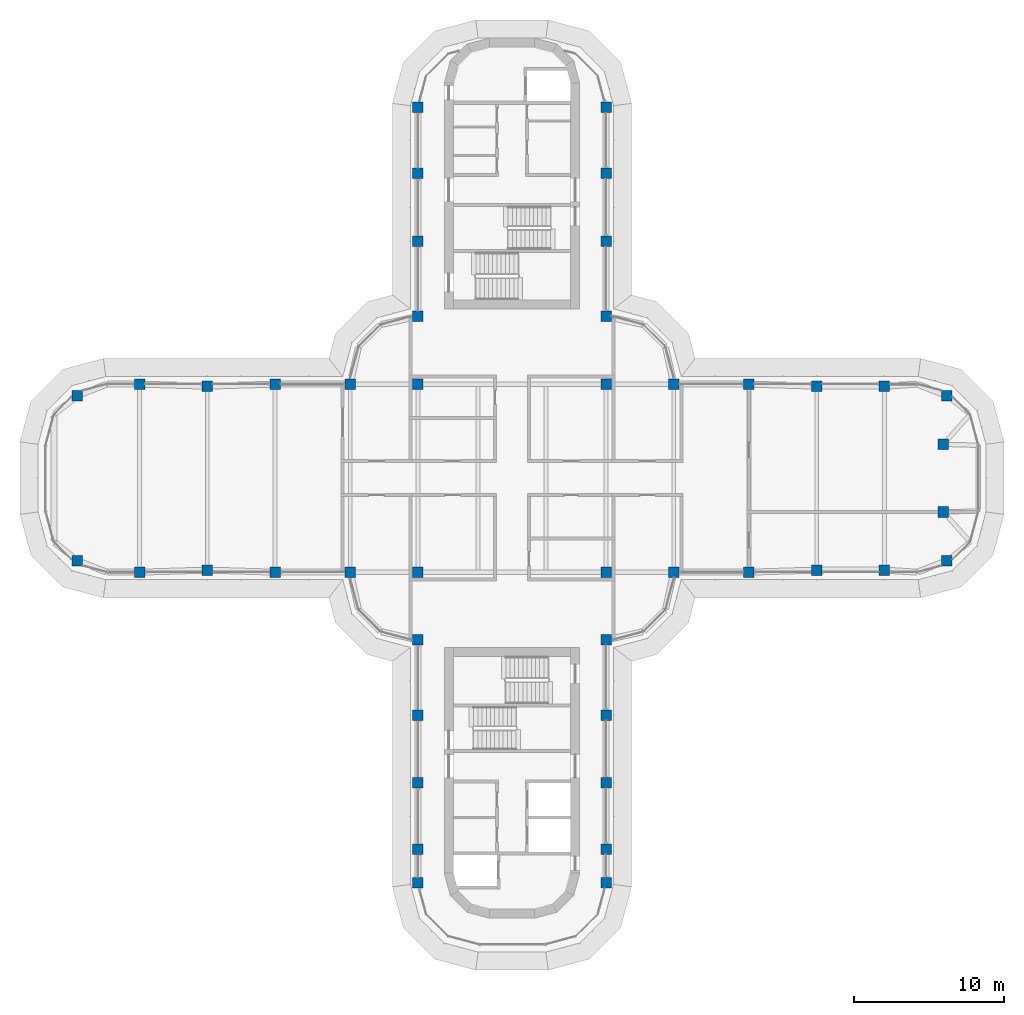
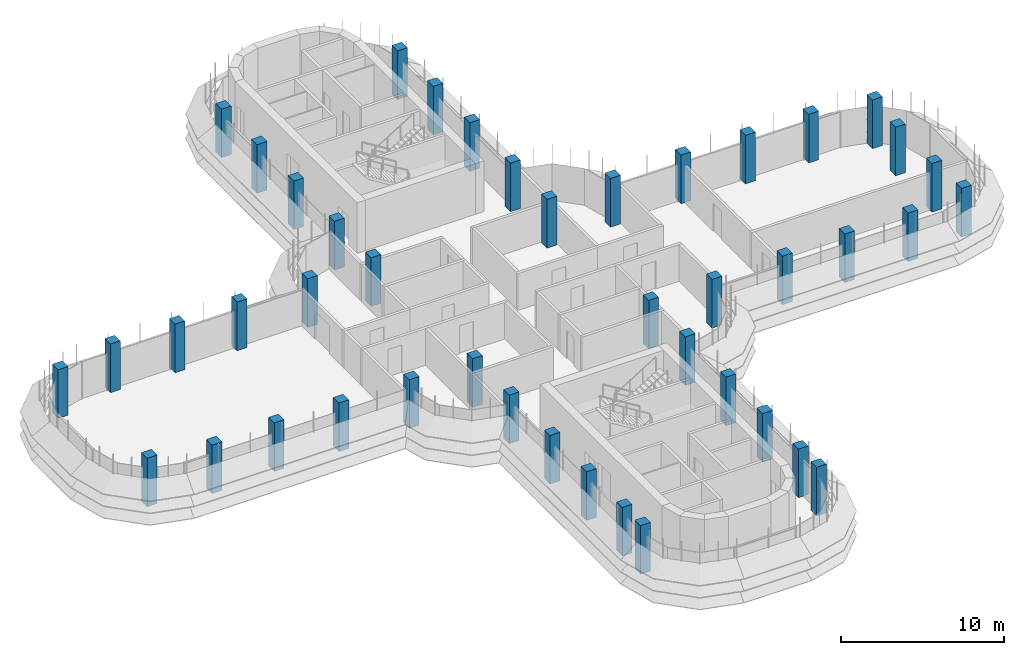
# One storey, part 1 of 19: 44 columns.
"""IFC4 building model written with IfcOpenShell, lengths in metres."""

from ifc_helpers import new_model, si_unit, direction, frame, origin, origin_2d, place, context, subcontext, project, spatial, rectangle, extrude, material, material_profile, profile_set, type_object, element, save


model = new_model("IFC4")

# Units and contexts
model_context = context("Model", 3, precision=1e-05, world=origin(), true_north=direction((0.0, 1.0)))
body_context = subcontext(model_context, "Body", "Model", "MODEL_VIEW")
ifc_project = project(units=[si_unit("LENGTHUNIT", "METRE"), si_unit("AREAUNIT", "SQUARE_METRE"), si_unit("VOLUMEUNIT", "CUBIC_METRE"), si_unit("PLANEANGLEUNIT", "RADIAN"), si_unit("MASSUNIT", "GRAM", prefix="KILO")], contexts=[model_context])

# Site, building, storey
site_placement = place(None, origin())
site = spatial("IfcSite", under=ifc_project, at=site_placement, CompositionType="ELEMENT")
building_placement = place(site_placement, origin())
building = spatial("IfcBuilding", under=site, at=building_placement, Name="Zarbagh Exchange Tower", CompositionType="ELEMENT")
storey_placement = place(building_placement, frame((0.0, 0.0, 229.60009765625)))
storey = spatial("IfcBuildingStorey", under=building, at=storey_placement, Name="L56", CompositionType="ELEMENT", Elevation=229.60009765625)

# Columns
ifc_material = material(Name="Concrete C50/60", Category="concrete")
ifc_material_profile = material_profile(ifc_material, rectangle(XDim=0.699951171875, YDim=0.699951171875, at=origin_2d()), Name="RC column 700 x 700 C50/60")
ifc_profile_set = profile_set([ifc_material_profile], Name="Concrete C50/60")
column_type = type_object("IfcColumnType", Name="RC column 700 x 700 C50/60", PredefinedType="COLUMN", material=ifc_profile_set)
for number, where, z_axis, x_axis, name in (
    (1, (-28.907958984375, -5.47509765625, 0.0), (0.0, 0.0, 1.0), (1.0, 0.0, 0.0), "C5 11/R"),
    (2, (-28.907958984375, 5.47509765625, 0.0), (0.0, 0.0, 1.0), (1.0, 0.0, 0.0), "C5 11/U"),
    (3, (-24.75, -6.25, 0.0), (0.0, 0.0, 1.0), (1.0, 0.0, 0.0), "C5 12/R"),
    (4, (-24.75, 6.25, 0.0), (0.0, 0.0, 1.0), (1.0, 0.0, 0.0), "C5 12/U"),
    (5, (-20.25, -6.110107421875, 0.0), (0.0, 0.0, 1.0), (1.0, 0.0, 0.0), "C5 13/R"),
    (6, (-20.25, 6.110107421875, 0.0), (0.0, 0.0, 1.0), (1.0, 0.0, 0.0), "C5 13/U"),
    (7, (-15.75, -6.25, 0.0), (0.0, 0.0, 1.0), (1.0, 0.0, 0.0), "C5 14/R"),
    (8, (-15.75, 6.25, 0.0), (0.0, 0.0, 1.0), (1.0, 0.0, 0.0), "C5 14/U"),
    (9, (-10.75, -6.25, 0.0), (0.0, 0.0, 1.0), (1.0, 0.0, 0.0), "C5 15/R"),
    (10, (-10.75, 6.25, 0.0), (0.0, 0.0, 1.0), (1.0, 0.0, 0.0), "C5 15/U"),
    (11, (-6.25, -26.89990234375, 0.0), (0.0, 0.0, 1.0), (1.0, 0.0, 0.0), "C5 16/L"),
    (12, (-6.25, -24.64990234375, 0.0), (0.0, 0.0, 1.0), (1.0, 0.0, 0.0), "C5 16/M"),
    (13, (-6.25, -20.25, 0.0), (0.0, 0.0, 1.0), (1.0, 0.0, 0.0), "C5 16/N"),
    (14, (-6.25, -15.75, 0.0), (0.0, 0.0, 1.0), (1.0, 0.0, 0.0), "C5 16/P"),
    (15, (-6.25, -10.75, 0.0), (0.0, 0.0, 1.0), (1.0, 0.0, 0.0), "C5 16/Q"),
    (16, (-6.25, -6.25, 0.0), (0.0, 0.0, 1.0), (1.0, 0.0, 0.0), "C5 16/R"),
    (17, (-6.25, 6.25, 0.0), (0.0, 0.0, 1.0), (1.0, 0.0, 0.0), "C5 16/U"),
    (18, (-6.25, 10.75, 0.0), (0.0, 0.0, 1.0), (1.0, 0.0, 0.0), "C5 16/V"),
    (19, (-6.25, 15.75, 0.0), (0.0, 0.0, 1.0), (1.0, 0.0, 0.0), "C5 16/W"),
    (20, (-6.25, 20.25, 0.0), (0.0, 0.0, 1.0), (1.0, 0.0, 0.0), "C5 16/X"),
    (21, (-6.25, 24.64990234375, 0.0), (0.0, 0.0, 1.0), (1.0, 0.0, 0.0), "C5 16/Y"),
    (22, (6.25, -26.89990234375, 0.0), (0.0, 0.0, 1.0), (1.0, 0.0, 0.0), "C5 19/L"),
    (23, (6.25, -24.64990234375, 0.0), (0.0, 0.0, 1.0), (1.0, 0.0, 0.0), "C5 19/M"),
    (24, (6.25, -20.25, 0.0), (0.0, 0.0, 1.0), (1.0, 0.0, 0.0), "C5 19/N"),
    (25, (6.25, -15.75, 0.0), (0.0, 0.0, 1.0), (1.0, 0.0, 0.0), "C5 19/P"),
    (26, (6.25, -10.75, 0.0), (0.0, 0.0, 1.0), (1.0, 0.0, 0.0), "C5 19/Q"),
    (27, (6.25, -6.25, 0.0), (0.0, 0.0, 1.0), (1.0, 0.0, 0.0), "C5 19/R"),
    (28, (6.25, 6.25, 0.0), (0.0, 0.0, 1.0), (1.0, 0.0, 0.0), "C5 19/U"),
    (29, (6.25, 10.75, 0.0), (0.0, 0.0, 1.0), (1.0, 0.0, 0.0), "C5 19/V"),
    (30, (6.25, 15.75, 0.0), (0.0, 0.0, 1.0), (1.0, 0.0, 0.0), "C5 19/W"),
    (31, (6.25, 20.25, 0.0), (0.0, 0.0, 1.0), (1.0, 0.0, 0.0), "C5 19/X"),
    (32, (6.25, 24.64990234375, 0.0), (0.0, 0.0, 1.0), (1.0, 0.0, 0.0), "C5 19/Y"),
    (33, (10.75, -6.25, 0.0), (0.0, 0.0, 1.0), (1.0, 0.0, 0.0), "C5 20/R"),
    (34, (10.75, 6.25, 0.0), (0.0, 0.0, 1.0), (1.0, 0.0, 0.0), "C5 20/U"),
    (35, (15.75, -6.25, 0.0), (0.0, 0.0, 1.0), (1.0, 0.0, 0.0), "C5 21/R"),
    (36, (15.75, 6.25, 0.0), (0.0, 0.0, 1.0), (1.0, 0.0, 0.0), "C5 21/U"),
    (37, (20.25, -6.110107421875, 0.0), (0.0, 0.0, 1.0), (1.0, 0.0, 0.0), "C5 22/R"),
    (38, (20.25, 6.110107421875, 0.0), (0.0, 0.0, 1.0), (1.0, 0.0, 0.0), "C5 22/U"),
    (39, (24.75, -6.110107421875, 0.0), (0.0, 0.0, 1.0), (1.0, 0.0, 0.0), "C5 23/R"),
    (40, (24.75, 6.110107421875, 0.0), (0.0, 0.0, 1.0), (1.0, 0.0, 0.0), "C5 23/U"),
    (41, (28.907958984375, -5.47509765625, 0.0), (0.0, 0.0, 1.0), (1.0, 0.0, 0.0), "C5 24/R"),
    (42, (28.669921875, -2.25, 0.0), (0.0, 0.0, 1.0), (1.0, 0.0, 0.0), "C5 24/S"),
    (43, (28.669921875, 2.25, 0.0), (0.0, 0.0, 1.0), (1.0, 0.0, 0.0), "C5 24/T"),
    (44, (28.907958984375, 5.47509765625, 0.0), (0.0, 0.0, 1.0), (1.0, 0.0, 0.0), "C5 24/U"),
):
    element("IfcColumn", number, at=place(storey_placement, frame(where, z_axis=z_axis, x_axis=x_axis)), inside=storey, type_object=column_type, Name=name, PredefinedType="COLUMN", context=body_context, shape_type="SweptSolid", body=[
        extrude(rectangle(XDim=0.699951171875, YDim=0.699951171875, at=origin_2d()), origin(), (0.0, 0.0, 1.0), 3.64990234375),
    ])

save(model, "model.ifc")
